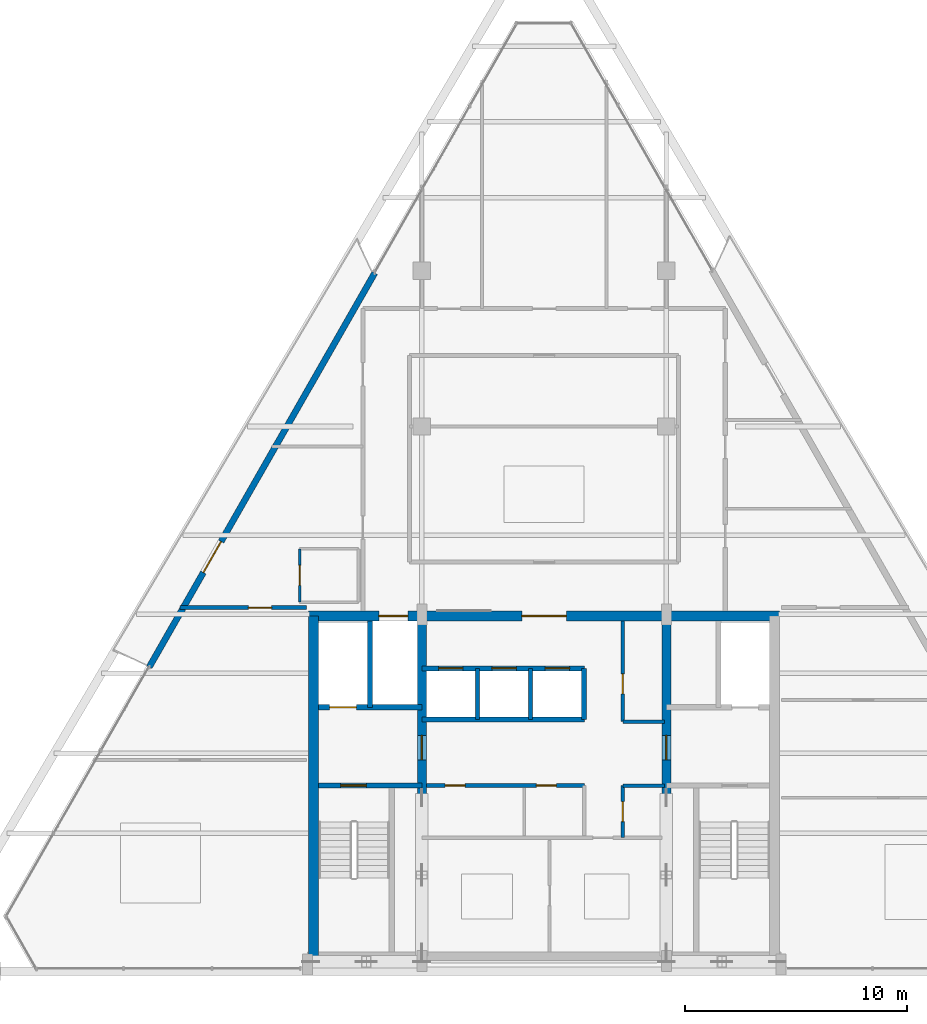
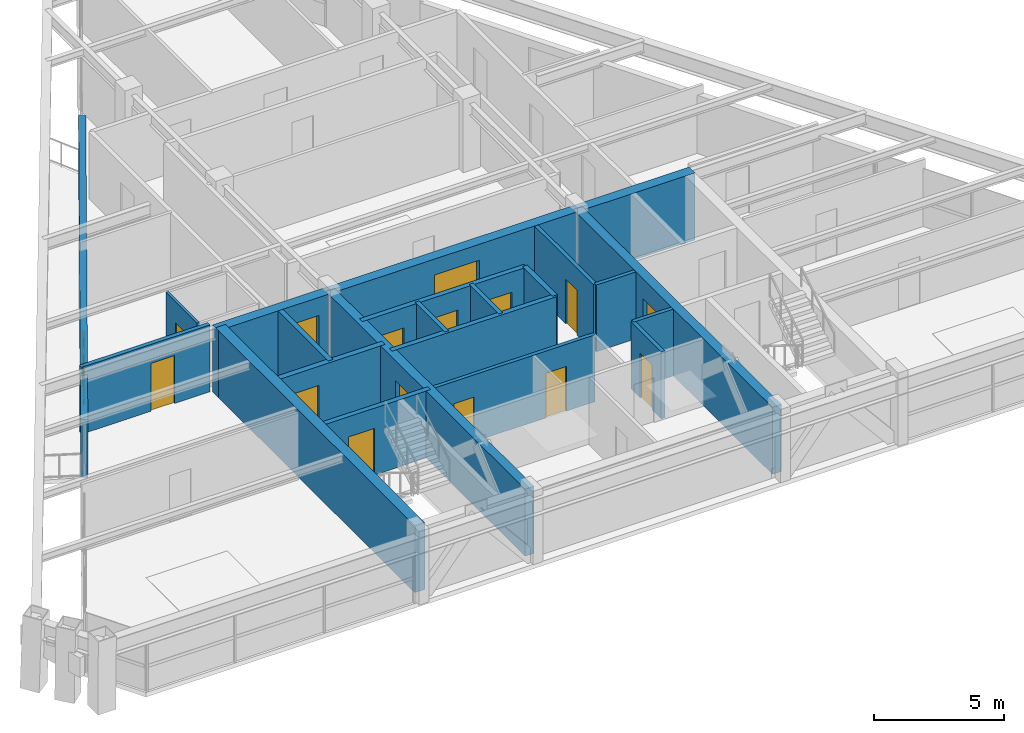
# One storey, part 9 of 13: 20 walls, 16 doors, 16 openings.
"""IFC4 building model written with IfcOpenShell, lengths in metres."""

from ifc_helpers import new_model, si_unit, direction, frame, frame_2d, origin, place, context, subcontext, project, spatial, rectangle, extrude, source, transform, mapped, material, layer, layer_set, type_object, type_shapes, element, fill, save


model = new_model("IFC4")

# Units and contexts
model_context = context("Model", 3, precision=1e-05, world=origin(), true_north=direction((0.0, 1.0)))
body_context = subcontext(model_context, "Body", "Model", "MODEL_VIEW")
ifc_project = project(units=[si_unit("LENGTHUNIT", "METRE"), si_unit("AREAUNIT", "SQUARE_METRE"), si_unit("VOLUMEUNIT", "CUBIC_METRE"), si_unit("PLANEANGLEUNIT", "RADIAN"), si_unit("MASSUNIT", "GRAM", prefix="KILO")], contexts=[model_context])

# Site, building, storey
site_placement = place(None, origin())
site = spatial("IfcSite", under=ifc_project, at=site_placement, CompositionType="ELEMENT")
building_placement = place(site_placement, origin())
building = spatial("IfcBuilding", under=site, at=building_placement, Name="Varnakhor Terracotta Tower", CompositionType="ELEMENT")
storey_placement = place(building_placement, frame((0.0, 0.0, 300.60009765625)))
storey = spatial("IfcBuildingStorey", under=building, at=storey_placement, Name="L79", CompositionType="ELEMENT", Elevation=300.60009765625)

# Wall, opening, door
ifc_material_1 = material(Name="Moisture-Resistant Tile-Backed Partition", Category="gypsum")
ifc_layer_1 = layer(ifc_material_1, 0.114990234375, Name="Moisture-Resistant Tile-Backed Partition")
ifc_layer_set_1 = layer_set([ifc_layer_1], Name="Moisture-Resistant Tile-Backed Partition")
wall_type_1 = type_object("IfcWallType", Name="WAL-BATH-115", PredefinedType="PARTITIONING", material=ifc_layer_set_1)
wall_1_placement = place(storey_placement, frame((-11.0, 16.60009765625, 0.0), z_axis=(0.0, 0.0, 1.0), x_axis=(0.0, 1.0, 0.0)))
wall_1 = element("IfcWall", 1, at=wall_1_placement, inside=storey, type_object=wall_type_1, Name="L79 En-Suite 1 Wall W", PredefinedType="PARTITIONING", context=body_context, shape_type="SweptSolid", body=[
    extrude(rectangle(XDim=2.39990234375, YDim=0.114990234375, at=frame_2d((1.199951171875, 0.0))), origin(), (0.0, 0.0, 1.0), 3.141845703125),
])
opening_1_placement = place(wall_1_placement, frame((0.75, 0.0, 0.0)))
opening_1 = element("IfcOpeningElement", 2, at=opening_1_placement, cuts=wall_1, Name="Opening DR-93", PredefinedType="OPENING", context=body_context, shape_type="SweptSolid", body=[
    extrude(rectangle(XDim=0.89990234375, YDim=2.14990234375, at=frame_2d((0.449951171875, 1.074951171875))), frame((0.0, 0.0673828125, 0.0), z_axis=(0.0, -1.0, 0.0), x_axis=(1.0, 0.0, 0.0)), (0.0, 0.0, 1.0), 0.135009765625),
])
ifc_material_2 = material(Name="Moisture-Resistant Accessible Bathroom Door", Category="wood")
door_type_1 = type_object("IfcDoorType", Name="DR-BATH-900X2150", OperationType="NOTDEFINED", PredefinedType="DOOR", material=ifc_material_2)
shared_shape_1 = source(origin(), body_context, "Body", "SweptSolid", [
    extrude(rectangle(XDim=0.89990234375, YDim=2.14990234375, at=frame_2d((0.449951171875, 1.074951171875))), frame((0.0, 0.02490234375, 0.0), z_axis=(0.0, -1.0, 0.0), x_axis=(1.0, 0.0, 0.0)), (0.0, 0.0, 1.0), 0.050048828125),
])
type_shapes(door_type_1, [shared_shape_1])
door_1_placement = place(opening_1_placement, origin())
door_1 = element("IfcDoor", 3, at=door_1_placement, inside=storey, type_object=door_type_1, Name="L79 En-Suite Bathroom 1 Door", OperationType="SINGLE_SWING_RIGHT", OverallHeight=2.14990234375, OverallWidth=0.89990234375, PredefinedType="DOOR", context=body_context, shape_type="MappedRepresentation", body=[
    mapped(shared_shape_1, transform((0.0, 0.0, 0.0), scale=1.0)),
])
fill(opening_1, door_1)

# Wall, openings, doors
ifc_material_3 = material(Name="Concrete C50/60", Category="concrete")
ifc_layer_2 = layer(ifc_material_3, 0.449951171875, Name="Concrete C50/60")
ifc_layer_set_2 = layer_set([ifc_layer_2], Name="Concrete C50/60")
wall_type_2 = type_object("IfcWallType", Name="WAL-CORE-450", PredefinedType="SHEAR", material=ifc_layer_set_2)
wall_2_placement = place(storey_placement, frame((-10.60009765625, 15.97509765625, 0.0), z_axis=(0.0, 0.0, 1.0), x_axis=(1.0, 0.0, 0.0)))
wall_2 = element("IfcWall", 4, at=wall_2_placement, inside=storey, type_object=wall_type_2, Name="L79 North Core Shear Wall", PredefinedType="SHEAR", context=body_context, shape_type="SweptSolid", body=[
    extrude(rectangle(XDim=21.2001953125, YDim=0.449951171875, at=frame_2d((10.60009765625, 0.0))), origin(), (0.0, 0.0, 1.0), 3.14990234375),
])
opening_2_placement = place(wall_2_placement, frame((3.169921875, 0.0, 0.0)))
opening_2 = element("IfcOpeningElement", 5, at=opening_2_placement, cuts=wall_2, Name="Opening LD-03", PredefinedType="OPENING", context=body_context, shape_type="SweptSolid", body=[
    extrude(rectangle(XDim=1.300048828125, YDim=2.300048828125, at=frame_2d((0.64990234375, 1.14990234375))), frame((0.0, 0.23486328125, 0.0), z_axis=(0.0, -1.0, 0.0), x_axis=(1.0, 0.0, 0.0)), (0.0, 0.0, 1.0), 0.469970703125),
])
opening_3_placement = place(wall_2_placement, frame((9.60009765625, 0.0, 0.0)))
opening_3 = element("IfcOpeningElement", 6, at=opening_3_placement, cuts=wall_2, Name="Opening DR-32", PredefinedType="OPENING", context=body_context, shape_type="SweptSolid", body=[
    extrude(rectangle(XDim=2.0, YDim=2.39990234375, at=frame_2d((1.0, 1.199951171875))), frame((0.0, 0.23486328125, 0.0), z_axis=(0.0, -1.0, 0.0), x_axis=(1.0, 0.0, 0.0)), (0.0, 0.0, 1.0), 0.469970703125),
])
ifc_material_4 = material(Name="Heavy-Duty Goods Sliding Lift Landing Door", Category="steel")
door_type_2 = type_object("IfcDoorType", Name="LD-SRV-1300X2300", OperationType="NOTDEFINED", PredefinedType="DOOR", material=ifc_material_4)
shared_shape_2 = source(origin(), body_context, "Body", "SweptSolid", [
    extrude(rectangle(XDim=1.300048828125, YDim=2.300048828125, at=frame_2d((0.64990234375, 1.14990234375))), frame((0.0, 0.02490234375, 0.0), z_axis=(0.0, -1.0, 0.0), x_axis=(1.0, 0.0, 0.0)), (0.0, 0.0, 1.0), 0.050048828125),
])
type_shapes(door_type_2, [shared_shape_2])
door_2_placement = place(opening_2_placement, origin())
door_2 = element("IfcDoor", 7, at=door_2_placement, inside=storey, type_object=door_type_2, Name="L79 Service Lift SVL-1 Landing Door", OperationType="SLIDING_TO_RIGHT", OverallHeight=2.300048828125, OverallWidth=1.300048828125, PredefinedType="DOOR", context=body_context, shape_type="MappedRepresentation", body=[
    mapped(shared_shape_2, transform((0.0, 0.0, 0.0), scale=1.0)),
])
fill(opening_2, door_2)
ifc_material_5 = material(Name="Acoustic Double Assembly Fire Door", Category="wood")
door_type_3 = type_object("IfcDoorType", Name="DR-HALL-2000X2400", OperationType="NOTDEFINED", PredefinedType="DOOR", material=ifc_material_5)
shared_shape_3 = source(origin(), body_context, "Body", "SweptSolid", [
    extrude(rectangle(XDim=2.0, YDim=2.39990234375, at=frame_2d((1.0, 1.199951171875))), frame((0.0, 0.02490234375, 0.0), z_axis=(0.0, -1.0, 0.0), x_axis=(1.0, 0.0, 0.0)), (0.0, 0.0, 1.0), 0.050048828125),
])
type_shapes(door_type_3, [shared_shape_3])
door_3_placement = place(opening_3_placement, origin())
door_3 = element("IfcDoor", 8, at=door_3_placement, inside=storey, type_object=door_type_3, Name="L79 Core Main Lobby Double Door", OperationType="DOUBLE_DOOR_SINGLE_SWING", OverallHeight=2.39990234375, OverallWidth=2.0, PredefinedType="DOOR", context=body_context, shape_type="MappedRepresentation", body=[
    mapped(shared_shape_3, transform((0.0, 0.0, 0.0), scale=1.0)),
])
fill(opening_3, door_3)

# Wall
wall_3_placement = place(storey_placement, frame((-10.375, 0.625, 0.0), z_axis=(0.0, 0.0, 1.0), x_axis=(0.0, 1.0, 0.0)))
element("IfcWall", 9, at=wall_3_placement, inside=storey, type_object=wall_type_2, Name="L79 West Core Shear Wall", PredefinedType="SHEAR", context=body_context, shape_type="SweptSolid", body=[
    extrude(rectangle(XDim=15.35009765625, YDim=0.449951171875, at=frame_2d((7.675048828125, 0.0))), origin(), (0.0, 0.0, 1.0), 3.14990234375),
])

# Wall, opening, door
ifc_layer_3 = layer(ifc_material_3, 0.39990234375, Name="Concrete C50/60")
ifc_layer_set_3 = layer_set([ifc_layer_3], Name="Concrete C50/60")
wall_type_3 = type_object("IfcWallType", Name="WAL-CORE-WEB-400", PredefinedType="SHEAR", material=ifc_layer_set_3)
wall_4_placement = place(storey_placement, frame((-5.5, 0.625, 0.0), z_axis=(0.0, 0.0, 1.0), x_axis=(0.0, 1.0, 0.0)))
wall_4 = element("IfcWall", 10, at=wall_4_placement, inside=storey, type_object=wall_type_3, Name="L79 West Core Web Shear Wall", PredefinedType="SHEAR", context=body_context, shape_type="SweptSolid", body=[
    extrude(rectangle(XDim=15.35009765625, YDim=0.39990234375, at=frame_2d((7.675048828125, 0.0))), origin(), (0.0, 0.0, 1.0), 3.14990234375),
])
opening_4_placement = place(wall_4_placement, frame((8.875, 0.0, 0.0)))
opening_4 = element("IfcOpeningElement", 11, at=opening_4_placement, cuts=wall_4, Name="Opening DR-25", PredefinedType="OPENING", context=body_context, shape_type="SweptSolid", body=[
    extrude(rectangle(XDim=1.10009765625, YDim=2.199951171875, at=frame_2d((0.550048828125, 1.10009765625))), frame((0.0, 0.2099609375, 0.0), z_axis=(0.0, -1.0, 0.0), x_axis=(1.0, 0.0, 0.0)), (0.0, 0.0, 1.0), 0.419921875),
])
ifc_material_6 = material(Name="Firefighting Lobby Self-Closing Fire Door", Category="steel")
door_type_4 = type_object("IfcDoorType", Name="DR-FFL-1100X2200", OperationType="NOTDEFINED", PredefinedType="DOOR", material=ifc_material_6)
shared_shape_4 = source(origin(), body_context, "Body", "SweptSolid", [
    extrude(rectangle(XDim=1.10009765625, YDim=2.199951171875, at=frame_2d((0.550048828125, 1.10009765625))), frame((0.0, 0.02490234375, 0.0), z_axis=(0.0, -1.0, 0.0), x_axis=(1.0, 0.0, 0.0)), (0.0, 0.0, 1.0), 0.050048828125),
])
type_shapes(door_type_4, [shared_shape_4])
door_4_placement = place(opening_4_placement, origin())
door_4 = element("IfcDoor", 12, at=door_4_placement, inside=storey, type_object=door_type_4, Name="L79 West Firefighting Lobby Door", OperationType="SINGLE_SWING_LEFT", OverallHeight=2.199951171875, OverallWidth=1.10009765625, PredefinedType="DOOR", context=body_context, shape_type="MappedRepresentation", body=[
    mapped(shared_shape_4, transform((0.0, 0.0, 0.0), scale=1.0)),
])
fill(opening_4, door_4)

wall_5_placement = place(storey_placement, frame((5.5, 0.625, 0.0), z_axis=(0.0, 0.0, 1.0), x_axis=(0.0, 1.0, 0.0)))
wall_5 = element("IfcWall", 13, at=wall_5_placement, inside=storey, type_object=wall_type_3, Name="L79 East Core Web Shear Wall", PredefinedType="SHEAR", context=body_context, shape_type="SweptSolid", body=[
    extrude(rectangle(XDim=15.35009765625, YDim=0.39990234375, at=frame_2d((7.675048828125, 0.0))), origin(), (0.0, 0.0, 1.0), 3.14990234375),
])
opening_5_placement = place(wall_5_placement, frame((8.875, 0.0, 0.0)))
opening_5 = element("IfcOpeningElement", 14, at=opening_5_placement, cuts=wall_5, Name="Opening DR-25", PredefinedType="OPENING", context=body_context, shape_type="SweptSolid", body=[
    extrude(rectangle(XDim=1.10009765625, YDim=2.199951171875, at=frame_2d((0.550048828125, 1.10009765625))), frame((0.0, 0.2099609375, 0.0), z_axis=(0.0, -1.0, 0.0), x_axis=(1.0, 0.0, 0.0)), (0.0, 0.0, 1.0), 0.419921875),
])
door_5_placement = place(opening_5_placement, origin())
door_5 = element("IfcDoor", 15, at=door_5_placement, inside=storey, type_object=door_type_4, Name="L79 East Firefighting Lobby Door", OperationType="SINGLE_SWING_LEFT", OverallHeight=2.199951171875, OverallWidth=1.10009765625, PredefinedType="DOOR", context=body_context, shape_type="MappedRepresentation", body=[
    mapped(shared_shape_4, transform((0.0, 0.0, 0.0), scale=1.0)),
])
fill(opening_5, door_5)

ifc_material_7 = material(Name="Fire-Rated Gypsum Stud Partition", Category="gypsum")
ifc_layer_4 = layer(ifc_material_7, 0.18505859375, Name="Fire-Rated Gypsum Stud Partition")
ifc_layer_set_4 = layer_set([ifc_layer_4], Name="Fire-Rated Gypsum Stud Partition")
wall_type_4 = type_object("IfcWallType", Name="WAL-CORR-185", PredefinedType="PARTITIONING", material=ifc_layer_set_4)
wall_6_placement = place(storey_placement, frame((-16.3828125, 16.35009765625, 0.0), z_axis=(0.0, 0.0, 1.0), x_axis=(1.0, 0.0, 0.0)))
wall_6 = element("IfcWall", 16, at=wall_6_placement, inside=storey, type_object=wall_type_4, Name="L79 South West Guest Entry Wall", PredefinedType="PARTITIONING", context=body_context, shape_type="SweptSolid", body=[
    extrude(rectangle(XDim=5.702880859375, YDim=0.18505859375, at=frame_2d((2.8515625, 0.0))), origin(), (0.0, 0.0, 1.0), 3.141845703125),
])
opening_6_placement = place(wall_6_placement, frame((3.079833984375, 0.0, 0.0)))
opening_6 = element("IfcOpeningElement", 17, at=opening_6_placement, cuts=wall_6, Name="Opening DR-95", PredefinedType="OPENING", context=body_context, shape_type="SweptSolid", body=[
    extrude(rectangle(XDim=1.050048828125, YDim=2.25, at=frame_2d((0.52490234375, 1.125))), frame((0.0, 0.1025390625, 0.0), z_axis=(0.0, -1.0, 0.0), x_axis=(1.0, 0.0, 0.0)), (0.0, 0.0, 1.0), 0.205078125),
])
ifc_material_8 = material(Name="Solid-Core Timber Tenant/Hotel Entrance Door", Category="wood")
door_type_5 = type_object("IfcDoorType", Name="DR-SUITE-1050X2250", OperationType="NOTDEFINED", PredefinedType="DOOR", material=ifc_material_8)
shared_shape_5 = source(origin(), body_context, "Body", "SweptSolid", [
    extrude(rectangle(XDim=1.050048828125, YDim=2.25, at=frame_2d((0.52490234375, 1.125))), frame((0.0, 0.02490234375, 0.0), z_axis=(0.0, -1.0, 0.0), x_axis=(1.0, 0.0, 0.0)), (0.0, 0.0, 1.0), 0.050048828125),
])
type_shapes(door_type_5, [shared_shape_5])
door_6_placement = place(opening_6_placement, origin())
door_6 = element("IfcDoor", 18, at=door_6_placement, inside=storey, type_object=door_type_5, Name="L79 SW Suite Entry Door", OperationType="SINGLE_SWING_RIGHT", OverallHeight=2.25, OverallWidth=1.050048828125, PredefinedType="DOOR", context=body_context, shape_type="MappedRepresentation", body=[
    mapped(shared_shape_5, transform((0.0, 0.0, 0.0), scale=1.0)),
])
fill(opening_6, door_6)

ifc_material_9 = material(Name="Extruded Architectural Terracotta Assembly", Category="masonry")
ifc_layer_5 = layer(ifc_material_9, 0.280029296875, Name="Extruded Architectural Terracotta Assembly")
ifc_layer_set_5 = layer_set([ifc_layer_5], Name="Extruded Architectural Terracotta Assembly")
wall_type_5 = type_object("IfcWallType", Name="WAL-EXT-TERRACOTTA-280", PredefinedType="SOLIDWALL", material=ifc_layer_set_5)
wall_7_placement = place(storey_placement, frame((-17.75927734375, 13.6826171875, 0.0), z_axis=(0.0, 0.0, 1.0), x_axis=(0.496660385715, 0.867944964419, 0.0)))
wall_7 = element("IfcWall", 19, at=wall_7_placement, inside=storey, type_object=wall_type_5, Name="L79 W Loggia Insulated Terracotta Wall", PredefinedType="SOLIDWALL", context=body_context, shape_type="SweptSolid", body=[
    extrude(rectangle(XDim=20.417236328125, YDim=0.280029296875, at=frame_2d((10.20849609375, 0.0))), origin(), (0.0, 0.0, 1.0), 2.72998046875),
])
opening_7_placement = place(wall_7_placement, frame((4.900146484375, 0.0, 0.0)))
opening_7 = element("IfcOpeningElement", 20, at=opening_7_placement, cuts=wall_7, Name="Opening DR-62", PredefinedType="OPENING", context=body_context, shape_type="SweptSolid", body=[
    extrude(rectangle(XDim=1.60009765625, YDim=2.35009765625, at=frame_2d((0.800048828125, 1.175048828125))), frame((0.0, 0.14990234375, 0.0), z_axis=(0.0, -1.0, 0.0), x_axis=(1.0, 0.0, 0.0)), (0.0, 0.0, 1.0), 0.300048828125),
])
ifc_material_10 = material(Name="Thermally Broken Sliding Glass Loggia Door", Category="glass")
door_type_6 = type_object("IfcDoorType", Name="DR-EXT-LOGGIA-1600X2350", OperationType="NOTDEFINED", PredefinedType="DOOR", material=ifc_material_10)
shared_shape_6 = source(origin(), body_context, "Body", "SweptSolid", [
    extrude(rectangle(XDim=1.60009765625, YDim=2.35009765625, at=frame_2d((0.800048828125, 1.175048828125))), frame((0.0, 0.02490234375, 0.0), z_axis=(0.0, -1.0, 0.0), x_axis=(1.0, 0.0, 0.0)), (0.0, 0.0, 1.0), 0.050048828125),
])
type_shapes(door_type_6, [shared_shape_6])
door_7_placement = place(opening_7_placement, origin())
door_7 = element("IfcDoor", 21, at=door_7_placement, inside=storey, type_object=door_type_6, Name="L79 W Recessed Loggia Sliding Door", OperationType="SLIDING_TO_LEFT", OverallHeight=2.35009765625, OverallWidth=1.60009765625, PredefinedType="DOOR", context=body_context, shape_type="MappedRepresentation", body=[
    mapped(shared_shape_6, transform((0.0, 0.0, 0.0), scale=1.0)),
])
fill(opening_7, door_7)

ifc_material_11 = material(Name="Concrete C40/50", Category="concrete")
ifc_layer_6 = layer(ifc_material_11, 0.219970703125, Name="Concrete C40/50")
ifc_layer_set_6 = layer_set([ifc_layer_6], Name="Concrete C40/50")
wall_type_6 = type_object("IfcWallType", Name="WAL-FFLOBBY-220", PredefinedType="SOLIDWALL", material=ifc_layer_set_6)
wall_8_placement = place(storey_placement, frame((-5.5, 8.35009765625, 0.0), z_axis=(0.0, 0.0, 1.0), x_axis=(-1.0, 0.0, 0.0)))
wall_8 = element("IfcWall", 22, at=wall_8_placement, inside=storey, type_object=wall_type_6, Name="L79 West Firefighting Lobby Stair Wall", PredefinedType="SOLIDWALL", context=body_context, shape_type="SweptSolid", body=[
    extrude(rectangle(XDim=4.64990234375, YDim=0.219970703125, at=frame_2d((2.324951171875, 0.0))), origin(), (0.0, 0.0, 1.0), 3.14990234375),
])
opening_8_placement = place(wall_8_placement, frame((2.5, 0.0, 0.0)))
opening_8 = element("IfcOpeningElement", 23, at=opening_8_placement, cuts=wall_8, Name="Opening DR-34", PredefinedType="OPENING", context=body_context, shape_type="SweptSolid", body=[
    extrude(rectangle(XDim=1.14990234375, YDim=2.199951171875, at=frame_2d((0.574951171875, 1.10009765625))), frame((0.0, 0.1201171875, 0.0), z_axis=(0.0, -1.0, 0.0), x_axis=(1.0, 0.0, 0.0)), (0.0, 0.0, 1.0), 0.239990234375),
])
ifc_material_12 = material(Name="Self-Closing Smoke-Sealed Steel Fire Door", Category="steel")
door_type_7 = type_object("IfcDoorType", Name="DR-STAIR-1150X2200", OperationType="NOTDEFINED", PredefinedType="DOOR", material=ifc_material_12)
shared_shape_7 = source(origin(), body_context, "Body", "SweptSolid", [
    extrude(rectangle(XDim=1.14990234375, YDim=2.199951171875, at=frame_2d((0.574951171875, 1.10009765625))), frame((0.0, 0.02490234375, 0.0), z_axis=(0.0, -1.0, 0.0), x_axis=(1.0, 0.0, 0.0)), (0.0, 0.0, 1.0), 0.050048828125),
])
type_shapes(door_type_7, [shared_shape_7])
door_8_placement = place(opening_8_placement, origin())
door_8 = element("IfcDoor", 24, at=door_8_placement, inside=storey, type_object=door_type_7, Name="L79 Exit Stair ST-1 Fire Door", OperationType="SINGLE_SWING_RIGHT", OverallHeight=2.199951171875, OverallWidth=1.14990234375, PredefinedType="DOOR", context=body_context, shape_type="MappedRepresentation", body=[
    mapped(shared_shape_7, transform((0.0, 0.0, 0.0), scale=1.0)),
])
fill(opening_8, door_8)

# Walls
ifc_layer_7 = layer(ifc_material_11, 0.179931640625, Name="Concrete C40/50")
ifc_layer_set_7 = layer_set([ifc_layer_7], Name="Concrete C40/50")
wall_type_7 = type_object("IfcWallType", Name="WAL-SHAFT-180", PredefinedType="SOLIDWALL", material=ifc_layer_set_7)
for number, where, z_axis, x_axis, name in (
    (25, (-3.0, 11.320068359375, 0.0), (0.0, 0.0, 1.0), (0.0, 1.0, 0.0), "L79 PL-3A Divider"),
    (26, (-0.60009765625, 11.320068359375, 0.0), (0.0, 0.0, 1.0), (0.0, 1.0, 0.0), "L79 PL-3B Divider"),
):
    element("IfcWall", number, at=place(storey_placement, frame(where, z_axis=z_axis, x_axis=x_axis)), inside=storey, type_object=wall_type_7, Name=name, PredefinedType="SOLIDWALL", context=body_context, shape_type="SweptSolid", body=[
        extrude(rectangle(XDim=2.300048828125, YDim=0.179931640625, at=frame_2d((1.14990234375, 0.0))), origin(), (0.0, 0.0, 1.0), 3.14990234375),
    ])
ifc_layer_8 = layer(ifc_material_11, 0.219970703125, Name="Concrete C40/50")
ifc_layer_set_8 = layer_set([ifc_layer_8], Name="Concrete C40/50")
wall_type_8 = type_object("IfcWallType", Name="WAL-SHAFT-220", PredefinedType="SOLIDWALL", material=ifc_layer_set_8)
wall_9_placement = place(storey_placement, frame((-7.840087890625, 11.8701171875, 0.0), z_axis=(0.0, 0.0, 1.0), x_axis=(0.0, 1.0, 0.0)))
element("IfcWall", 27, at=wall_9_placement, inside=storey, type_object=wall_type_8, Name="L79 Lift FFL-1 and SVL-1 Divider Wall", PredefinedType="SOLIDWALL", context=body_context, shape_type="SweptSolid", body=[
    extrude(rectangle(XDim=3.8798828125, YDim=0.219970703125, at=frame_2d((1.93994140625, 0.0))), origin(), (0.0, 0.0, 1.0), 3.14990234375),
])
wall_10_placement = place(storey_placement, frame((-5.5, 11.320068359375, 0.0), z_axis=(0.0, 0.0, 1.0), x_axis=(1.0, 0.0, 0.0)))
element("IfcWall", 28, at=wall_10_placement, inside=storey, type_object=wall_type_8, Name="L79 Bank 3 South Shaft Wall", PredefinedType="SOLIDWALL", context=body_context, shape_type="SweptSolid", body=[
    extrude(rectangle(XDim=7.320068359375, YDim=0.219970703125, at=frame_2d((3.66015625, 0.0))), origin(), (0.0, 0.0, 1.0), 3.14990234375),
])

# Wall, openings, doors
wall_11_placement = place(storey_placement, frame((-5.5, 13.6201171875, 0.0), z_axis=(0.0, 0.0, 1.0), x_axis=(1.0, 0.0, 0.0)))
wall_11 = element("IfcWall", 29, at=wall_11_placement, inside=storey, type_object=wall_type_8, Name="L79 Bank 3 North Shaft Wall", PredefinedType="SOLIDWALL", context=body_context, shape_type="SweptSolid", body=[
    extrude(rectangle(XDim=7.320068359375, YDim=0.219970703125, at=frame_2d((3.66015625, 0.0))), origin(), (0.0, 0.0, 1.0), 3.14990234375),
])
opening_9_placement = place(wall_11_placement, frame((0.75, 0.0, 0.0)))
opening_9 = element("IfcOpeningElement", 30, at=opening_9_placement, cuts=wall_11, Name="Opening LD-01", PredefinedType="OPENING", context=body_context, shape_type="SweptSolid", body=[
    extrude(rectangle(XDim=1.10009765625, YDim=2.199951171875, at=frame_2d((0.550048828125, 1.10009765625))), frame((0.0, 0.1201171875, 0.0), z_axis=(0.0, -1.0, 0.0), x_axis=(1.0, 0.0, 0.0)), (0.0, 0.0, 1.0), 0.239990234375),
])
opening_10_placement = place(wall_11_placement, frame((3.14990234375, 0.0, 0.0)))
opening_10 = element("IfcOpeningElement", 31, at=opening_10_placement, cuts=wall_11, Name="Opening LD-01", PredefinedType="OPENING", context=body_context, shape_type="SweptSolid", body=[
    extrude(rectangle(XDim=1.10009765625, YDim=2.199951171875, at=frame_2d((0.550048828125, 1.10009765625))), frame((0.0, 0.1201171875, 0.0), z_axis=(0.0, -1.0, 0.0), x_axis=(1.0, 0.0, 0.0)), (0.0, 0.0, 1.0), 0.239990234375),
])
opening_11_placement = place(wall_11_placement, frame((5.550048828125, 0.0, 0.0)))
opening_11 = element("IfcOpeningElement", 32, at=opening_11_placement, cuts=wall_11, Name="Opening LD-01", PredefinedType="OPENING", context=body_context, shape_type="SweptSolid", body=[
    extrude(rectangle(XDim=1.10009765625, YDim=2.199951171875, at=frame_2d((0.550048828125, 1.10009765625))), frame((0.0, 0.1201171875, 0.0), z_axis=(0.0, -1.0, 0.0), x_axis=(1.0, 0.0, 0.0)), (0.0, 0.0, 1.0), 0.239990234375),
])
ifc_material_13 = material(Name="Brushed Stainless Steel Sliding Lift Landing Door", Category="steel")
door_type_8 = type_object("IfcDoorType", Name="LD-PASS-1100X2200", OperationType="NOTDEFINED", PredefinedType="DOOR", material=ifc_material_13)
shared_shape_8 = source(origin(), body_context, "Body", "SweptSolid", [
    extrude(rectangle(XDim=1.10009765625, YDim=2.199951171875, at=frame_2d((0.550048828125, 1.10009765625))), frame((0.0, 0.02490234375, 0.0), z_axis=(0.0, -1.0, 0.0), x_axis=(1.0, 0.0, 0.0)), (0.0, 0.0, 1.0), 0.050048828125),
])
type_shapes(door_type_8, [shared_shape_8])
door_9_placement = place(opening_9_placement, origin())
door_9 = element("IfcDoor", 33, at=door_9_placement, inside=storey, type_object=door_type_8, Name="L79 Passenger Lift PL-3A Landing Door", OperationType="SLIDING_TO_RIGHT", OverallHeight=2.199951171875, OverallWidth=1.10009765625, PredefinedType="DOOR", context=body_context, shape_type="MappedRepresentation", body=[
    mapped(shared_shape_8, transform((0.0, 0.0, 0.0), scale=1.0)),
])
fill(opening_9, door_9)
door_10_placement = place(opening_10_placement, origin())
door_10 = element("IfcDoor", 34, at=door_10_placement, inside=storey, type_object=door_type_8, Name="L79 Passenger Lift PL-3B Landing Door", OperationType="SLIDING_TO_RIGHT", OverallHeight=2.199951171875, OverallWidth=1.10009765625, PredefinedType="DOOR", context=body_context, shape_type="MappedRepresentation", body=[
    mapped(shared_shape_8, transform((0.0, 0.0, 0.0), scale=1.0)),
])
fill(opening_10, door_10)
door_11_placement = place(opening_11_placement, origin())
door_11 = element("IfcDoor", 35, at=door_11_placement, inside=storey, type_object=door_type_8, Name="L79 Passenger Lift PL-3C Landing Door", OperationType="SLIDING_TO_RIGHT", OverallHeight=2.199951171875, OverallWidth=1.10009765625, PredefinedType="DOOR", context=body_context, shape_type="MappedRepresentation", body=[
    mapped(shared_shape_8, transform((0.0, 0.0, 0.0), scale=1.0)),
])
fill(opening_11, door_11)

# Wall
wall_12_placement = place(storey_placement, frame((1.800048828125, 11.320068359375, 0.0), z_axis=(0.0, 0.0, 1.0), x_axis=(0.0, 1.0, 0.0)))
element("IfcWall", 36, at=wall_12_placement, inside=storey, type_object=wall_type_8, Name="L79 Bank 3 East Shaft Wall", PredefinedType="SOLIDWALL", context=body_context, shape_type="SweptSolid", body=[
    extrude(rectangle(XDim=2.300048828125, YDim=0.219970703125, at=frame_2d((1.14990234375, 0.0))), origin(), (0.0, 0.0, 1.0), 3.14990234375),
])

# Wall, opening, door
ifc_layer_9 = layer(ifc_material_11, 0.25, Name="Concrete C40/50")
ifc_layer_set_9 = layer_set([ifc_layer_9], Name="Concrete C40/50")
wall_type_9 = type_object("IfcWallType", Name="WAL-SHAFT-250", PredefinedType="SOLIDWALL", material=ifc_layer_set_9)
wall_13_placement = place(storey_placement, frame((-5.5, 11.8701171875, 0.0), z_axis=(0.0, 0.0, 1.0), x_axis=(-1.0, 0.0, 0.0)))
wall_13 = element("IfcWall", 37, at=wall_13_placement, inside=storey, type_object=wall_type_9, Name="L79 Lift FFL-1 Shaft Front Wall", PredefinedType="SOLIDWALL", context=body_context, shape_type="SweptSolid", body=[
    extrude(rectangle(XDim=4.64990234375, YDim=0.25, at=frame_2d((2.324951171875, 0.0))), origin(), (0.0, 0.0, 1.0), 3.14990234375),
])
opening_12_placement = place(wall_13_placement, frame((2.949951171875, 0.0, 0.0)))
opening_12 = element("IfcOpeningElement", 38, at=opening_12_placement, cuts=wall_13, Name="Opening LD-02", PredefinedType="OPENING", context=body_context, shape_type="SweptSolid", body=[
    extrude(rectangle(XDim=1.199951171875, YDim=2.25, at=frame_2d((0.60009765625, 1.125))), frame((0.0, 0.135009765625, 0.0), z_axis=(0.0, -1.0, 0.0), x_axis=(1.0, 0.0, 0.0)), (0.0, 0.0, 1.0), 0.27001953125),
])
ifc_material_14 = material(Name="Firefighting Stretcher Sliding Lift Landing Door", Category="steel")
door_type_9 = type_object("IfcDoorType", Name="LD-FFL-1200X2250", OperationType="NOTDEFINED", PredefinedType="DOOR", material=ifc_material_14)
shared_shape_9 = source(origin(), body_context, "Body", "SweptSolid", [
    extrude(rectangle(XDim=1.199951171875, YDim=2.25, at=frame_2d((0.60009765625, 1.125))), frame((0.0, 0.02490234375, 0.0), z_axis=(0.0, -1.0, 0.0), x_axis=(1.0, 0.0, 0.0)), (0.0, 0.0, 1.0), 0.050048828125),
])
type_shapes(door_type_9, [shared_shape_9])
door_12_placement = place(opening_12_placement, origin())
door_12 = element("IfcDoor", 39, at=door_12_placement, inside=storey, type_object=door_type_9, Name="L79 Firefighting Lift FFL-1 Landing Door", OperationType="SLIDING_TO_LEFT", OverallHeight=2.25, OverallWidth=1.199951171875, PredefinedType="DOOR", context=body_context, shape_type="MappedRepresentation", body=[
    mapped(shared_shape_9, transform((0.0, 0.0, 0.0), scale=1.0)),
])
fill(opening_12, door_12)

ifc_material_15 = material(Name="Acoustic Fire-Rated Partition", Category="gypsum")
ifc_layer_10 = layer(ifc_material_15, 0.1650390625, Name="Acoustic Fire-Rated Partition")
ifc_layer_set_10 = layer_set([ifc_layer_10], Name="Acoustic Fire-Rated Partition")
wall_type_10 = type_object("IfcWallType", Name="WAL-TENANCY-165", PredefinedType="PARTITIONING", material=ifc_layer_set_10)
wall_14_placement = place(storey_placement, frame((3.5400390625, 6.0, 0.0), z_axis=(0.0, 0.0, 1.0), x_axis=(0.0, 1.0, 0.0)))
wall_14 = element("IfcWall", 40, at=wall_14_placement, inside=storey, type_object=wall_type_10, Name="L79 Accessible WC Rated Wall", PredefinedType="PARTITIONING", context=body_context, shape_type="SweptSolid", body=[
    extrude(rectangle(XDim=2.340087890625, YDim=0.1650390625, at=frame_2d((1.169921875, 0.0))), origin(), (0.0, 0.0, 1.0), 3.141845703125),
])
opening_13_placement = place(wall_14_placement, frame((0.719970703125, 0.0, 0.0)))
opening_13 = element("IfcOpeningElement", 41, at=opening_13_placement, cuts=wall_14, Name="Opening DR-67", PredefinedType="OPENING", context=body_context, shape_type="SweptSolid", body=[
    extrude(rectangle(XDim=0.89990234375, YDim=2.10009765625, at=frame_2d((0.449951171875, 1.050048828125))), frame((0.0, 0.092529296875, 0.0), z_axis=(0.0, -1.0, 0.0), x_axis=(1.0, 0.0, 0.0)), (0.0, 0.0, 1.0), 0.18505859375),
])
ifc_material_16 = material(Name="Steel Service Riser Fire Door", Category="steel")
door_type_10 = type_object("IfcDoorType", Name="DR-RISER-900X2100", OperationType="NOTDEFINED", PredefinedType="DOOR", material=ifc_material_16)
shared_shape_10 = source(origin(), body_context, "Body", "SweptSolid", [
    extrude(rectangle(XDim=0.89990234375, YDim=2.10009765625, at=frame_2d((0.449951171875, 1.050048828125))), frame((0.0, 0.02490234375, 0.0), z_axis=(0.0, -1.0, 0.0), x_axis=(1.0, 0.0, 0.0)), (0.0, 0.0, 1.0), 0.050048828125),
])
type_shapes(door_type_10, [shared_shape_10])
door_13_placement = place(opening_13_placement, origin())
door_13 = element("IfcDoor", 42, at=door_13_placement, inside=storey, type_object=door_type_10, Name="L79 Accessible WC Door", OperationType="SINGLE_SWING_RIGHT", OverallHeight=2.10009765625, OverallWidth=0.89990234375, PredefinedType="DOOR", context=body_context, shape_type="MappedRepresentation", body=[
    mapped(shared_shape_10, transform((0.0, 0.0, 0.0), scale=1.0)),
])
fill(opening_13, door_13)

# Wall
wall_15_placement = place(storey_placement, frame((3.5400390625, 8.340087890625, 0.0), z_axis=(0.0, 0.0, 1.0), x_axis=(1.0, 0.0, 0.0)))
element("IfcWall", 43, at=wall_15_placement, inside=storey, type_object=wall_type_10, Name="L79 Accessible WC North Wall", PredefinedType="PARTITIONING", context=body_context, shape_type="SweptSolid", body=[
    extrude(rectangle(XDim=1.8798828125, YDim=0.1650390625, at=frame_2d((0.93994140625, 0.0))), origin(), (0.0, 0.0, 1.0), 3.141845703125),
])

# Wall, openings, doors
wall_16_placement = place(storey_placement, frame((-5.300048828125, 8.35009765625, 0.0), z_axis=(0.0, 0.0, 1.0), x_axis=(1.0, 0.0, 0.0)))
wall_16 = element("IfcWall", 44, at=wall_16_placement, inside=storey, type_object=wall_type_10, Name="L79 Reclaimed Mid-Core North Wall", PredefinedType="PARTITIONING", context=body_context, shape_type="SweptSolid", body=[
    extrude(rectangle(XDim=7.1201171875, YDim=0.1650390625, at=frame_2d((3.56005859375, 0.0))), origin(), (0.0, 0.0, 1.0), 3.141845703125),
])
opening_14_placement = place(wall_16_placement, frame((0.85009765625, 0.0, 0.0)))
opening_14 = element("IfcOpeningElement", 45, at=opening_14_placement, cuts=wall_16, Name="Opening DR-67", PredefinedType="OPENING", context=body_context, shape_type="SweptSolid", body=[
    extrude(rectangle(XDim=0.89990234375, YDim=2.10009765625, at=frame_2d((0.449951171875, 1.050048828125))), frame((0.0, 0.092529296875, 0.0), z_axis=(0.0, -1.0, 0.0), x_axis=(1.0, 0.0, 0.0)), (0.0, 0.0, 1.0), 0.18505859375),
])
opening_15_placement = place(wall_16_placement, frame((4.949951171875, 0.0, 0.0)))
opening_15 = element("IfcOpeningElement", 46, at=opening_15_placement, cuts=wall_16, Name="Opening DR-67", PredefinedType="OPENING", context=body_context, shape_type="SweptSolid", body=[
    extrude(rectangle(XDim=0.89990234375, YDim=2.10009765625, at=frame_2d((0.449951171875, 1.050048828125))), frame((0.0, 0.092529296875, 0.0), z_axis=(0.0, -1.0, 0.0), x_axis=(1.0, 0.0, 0.0)), (0.0, 0.0, 1.0), 0.18505859375),
])
door_14_placement = place(opening_14_placement, origin())
door_14 = element("IfcDoor", 47, at=door_14_placement, inside=storey, type_object=door_type_10, Name="L79 Core West Restroom Door", OperationType="SINGLE_SWING_LEFT", OverallHeight=2.10009765625, OverallWidth=0.89990234375, PredefinedType="DOOR", context=body_context, shape_type="MappedRepresentation", body=[
    mapped(shared_shape_10, transform((0.0, 0.0, 0.0), scale=1.0)),
])
fill(opening_14, door_14)
door_15_placement = place(opening_15_placement, origin())
door_15 = element("IfcDoor", 48, at=door_15_placement, inside=storey, type_object=door_type_10, Name="L79 Core East Restroom Door", OperationType="SINGLE_SWING_RIGHT", OverallHeight=2.10009765625, OverallWidth=0.89990234375, PredefinedType="DOOR", context=body_context, shape_type="MappedRepresentation", body=[
    mapped(shared_shape_10, transform((0.0, 0.0, 0.0), scale=1.0)),
])
fill(opening_15, door_15)

# Wall, opening, door
wall_17_placement = place(storey_placement, frame((3.5400390625, 11.219970703125, 0.0), z_axis=(0.0, 0.0, 1.0), x_axis=(0.0, 1.0, 0.0)))
wall_17 = element("IfcWall", 49, at=wall_17_placement, inside=storey, type_object=wall_type_10, Name="L79 Restroom Corridor Wall", PredefinedType="PARTITIONING", context=body_context, shape_type="SweptSolid", body=[
    extrude(rectangle(XDim=4.530029296875, YDim=0.1650390625, at=frame_2d((2.26513671875, 0.0))), origin(), (0.0, 0.0, 1.0), 3.141845703125),
])
opening_16_placement = place(wall_17_placement, frame((1.25, 0.0, 0.0)))
opening_16 = element("IfcOpeningElement", 50, at=opening_16_placement, cuts=wall_17, Name="Opening DR-67", PredefinedType="OPENING", context=body_context, shape_type="SweptSolid", body=[
    extrude(rectangle(XDim=0.89990234375, YDim=2.10009765625, at=frame_2d((0.449951171875, 1.050048828125))), frame((0.0, 0.092529296875, 0.0), z_axis=(0.0, -1.0, 0.0), x_axis=(1.0, 0.0, 0.0)), (0.0, 0.0, 1.0), 0.18505859375),
])
door_16_placement = place(opening_16_placement, origin())
door_16 = element("IfcDoor", 51, at=door_16_placement, inside=storey, type_object=door_type_10, Name="L79 Female WC Door", OperationType="SINGLE_SWING_LEFT", OverallHeight=2.10009765625, OverallWidth=0.89990234375, PredefinedType="DOOR", context=body_context, shape_type="MappedRepresentation", body=[
    mapped(shared_shape_10, transform((0.0, 0.0, 0.0), scale=1.0)),
])
fill(opening_16, door_16)

# Wall
wall_18_placement = place(storey_placement, frame((3.5400390625, 11.219970703125, 0.0), z_axis=(0.0, 0.0, 1.0), x_axis=(1.0, 0.0, 0.0)))
element("IfcWall", 52, at=wall_18_placement, inside=storey, type_object=wall_type_10, Name="L79 Restroom South Wall", PredefinedType="PARTITIONING", context=body_context, shape_type="SweptSolid", body=[
    extrude(rectangle(XDim=1.8798828125, YDim=0.1650390625, at=frame_2d((0.93994140625, 0.0))), origin(), (0.0, 0.0, 1.0), 3.141845703125),
])

save(model, "model.ifc")
